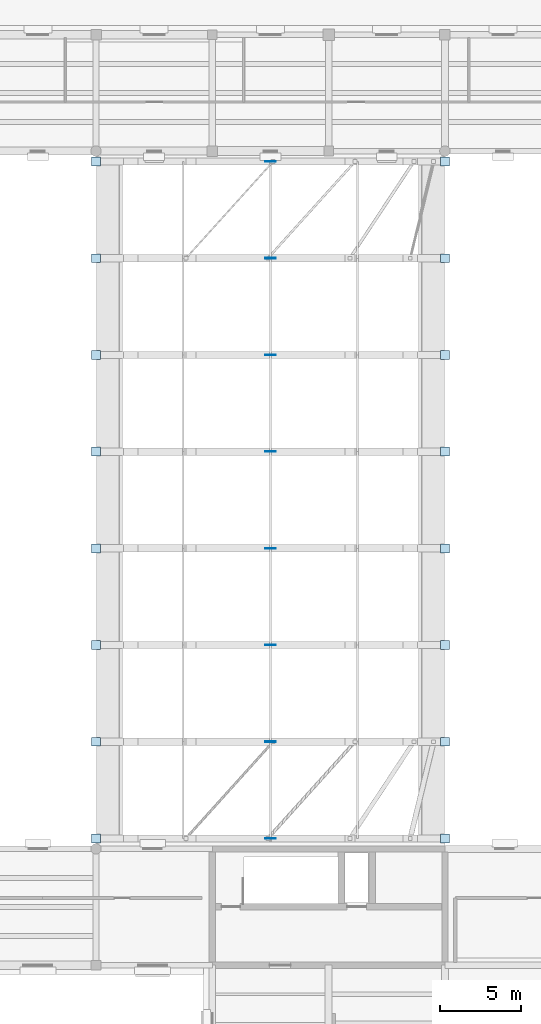
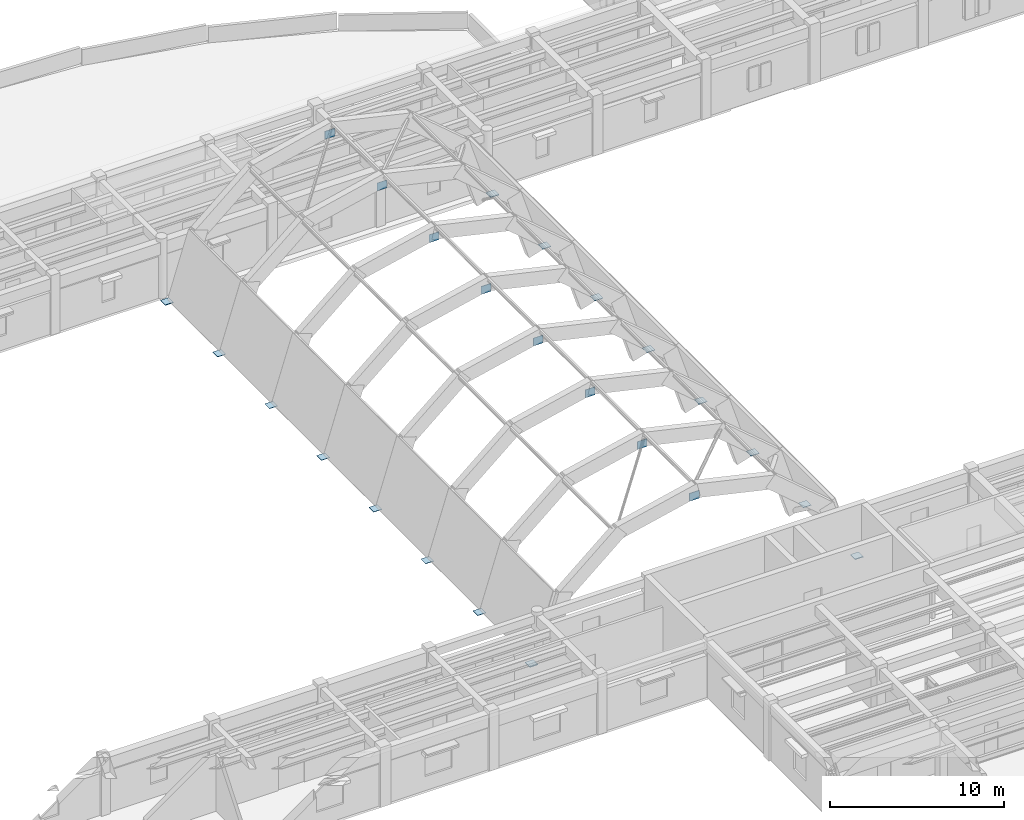
# One storey, part 35 of 66: 24 plates.
"""IFC4 building model written with IfcOpenShell, lengths in metres."""

from ifc_helpers import new_model, si_unit, direction, frame, origin, origin_2d, place, context, subcontext, project, spatial, rectangle, extrude, material, layer, layer_set, type_object, element, save


model = new_model("IFC4")

# Units and contexts
model_context = context("Model", 3, precision=1e-05, world=origin(), true_north=direction((0.0, 1.0)))
body_context = subcontext(model_context, "Body", "Model", "MODEL_VIEW")
ifc_project = project(units=[si_unit("LENGTHUNIT", "METRE"), si_unit("AREAUNIT", "SQUARE_METRE"), si_unit("VOLUMEUNIT", "CUBIC_METRE"), si_unit("PLANEANGLEUNIT", "RADIAN"), si_unit("MASSUNIT", "GRAM", prefix="KILO")], contexts=[model_context])

# Site, building, storey
site_placement = place(None, origin())
site = spatial("IfcSite", under=ifc_project, at=site_placement, CompositionType="ELEMENT")
building_placement = place(site_placement, origin())
building = spatial("IfcBuilding", under=site, at=building_placement, Name="Mithqara Police Headquarters", CompositionType="ELEMENT")
storey_placement = place(building_placement, frame((0.0, 0.0, 9.60009765625)))
storey = spatial("IfcBuildingStorey", under=building, at=storey_placement, Name="L02", CompositionType="ELEMENT", Elevation=9.60009765625)

# Plates
ifc_material = material(Name="Steel S355JR", Category="steel")
ifc_layer_1 = layer(ifc_material, 0.048095703125, Name="Steel S355JR")
ifc_layer_set_1 = layer_set([ifc_layer_1], Name="Steel S355JR")
plate_type_1 = type_object("IfcPlateType", Name="BASE PLATE 48", PredefinedType="SHEET", material=ifc_layer_set_1)
for number, where, z_axis, x_axis, name in (
    (1, (72.60009765625, 36.050048828125, -0.04833984375), (0.0, 0.0, 1.0), (1.0, 0.0, 0.0), "Public Entrance Hall Barrel Vault Springing Shoe Plate W1"),
    (2, (94.199951171875, 36.050048828125, -0.04833984375), (0.0, 0.0, 1.0), (1.0, 0.0, 0.0), "Public Entrance Hall Barrel Vault Springing Shoe Plate E1"),
    (3, (72.60009765625, 77.949951171875, -0.04833984375), (0.0, 0.0, 1.0), (1.0, 0.0, 0.0), "Public Entrance Hall Barrel Vault Springing Shoe Plate W8"),
    (4, (94.199951171875, 77.949951171875, -0.04833984375), (0.0, 0.0, 1.0), (1.0, 0.0, 0.0), "Public Entrance Hall Barrel Vault Springing Shoe Plate E8"),
):
    element("IfcPlate", number, at=place(storey_placement, frame(where, z_axis=z_axis, x_axis=x_axis)), inside=storey, type_object=plate_type_1, Name=name, PredefinedType="SHEET", context=body_context, shape_type="SweptSolid", body=[
        extrude(rectangle(XDim=0.550048828125, YDim=0.550048828125, at=origin_2d()), origin(), (0.0, 0.0, 1.0), 0.048095703125),
    ])
ifc_layer_2 = layer(ifc_material, 0.02392578125, Name="Steel S355JR")
ifc_layer_set_2 = layer_set([ifc_layer_2], Name="Steel S355JR")
plate_type_2 = type_object("IfcPlateType", Name="GUSSET PLATE 24", PredefinedType="SHEET", material=ifc_layer_set_2)
for number, where, z_axis, x_axis, name in (
    (5, (72.60009765625, 42.03564453125, -0.0361328125), (0.0, 0.0, 1.0), (1.0, 0.0, 0.0), "Public Entrance Hall Barrel Vault Springing Shoe Plate W2"),
    (6, (94.199951171875, 42.03564453125, -0.0361328125), (0.0, 0.0, 1.0), (1.0, 0.0, 0.0), "Public Entrance Hall Barrel Vault Springing Shoe Plate E2"),
    (7, (72.60009765625, 48.021484375, -0.0361328125), (0.0, 0.0, 1.0), (1.0, 0.0, 0.0), "Public Entrance Hall Barrel Vault Springing Shoe Plate W3"),
    (8, (94.199951171875, 48.021484375, -0.0361328125), (0.0, 0.0, 1.0), (1.0, 0.0, 0.0), "Public Entrance Hall Barrel Vault Springing Shoe Plate E3"),
    (9, (72.60009765625, 54.007080078125, -0.0361328125), (0.0, 0.0, 1.0), (1.0, 0.0, 0.0), "Public Entrance Hall Barrel Vault Springing Shoe Plate W4"),
    (10, (94.199951171875, 54.007080078125, -0.0361328125), (0.0, 0.0, 1.0), (1.0, 0.0, 0.0), "Public Entrance Hall Barrel Vault Springing Shoe Plate E4"),
    (11, (72.60009765625, 59.992919921875, -0.0361328125), (0.0, 0.0, 1.0), (1.0, 0.0, 0.0), "Public Entrance Hall Barrel Vault Springing Shoe Plate W5"),
    (12, (94.199951171875, 59.992919921875, -0.0361328125), (0.0, 0.0, 1.0), (1.0, 0.0, 0.0), "Public Entrance Hall Barrel Vault Springing Shoe Plate E5"),
    (13, (72.60009765625, 65.978515625, -0.0361328125), (0.0, 0.0, 1.0), (1.0, 0.0, 0.0), "Public Entrance Hall Barrel Vault Springing Shoe Plate W6"),
    (14, (94.199951171875, 65.978515625, -0.0361328125), (0.0, 0.0, 1.0), (1.0, 0.0, 0.0), "Public Entrance Hall Barrel Vault Springing Shoe Plate E6"),
    (15, (72.60009765625, 71.96435546875, -0.0361328125), (0.0, 0.0, 1.0), (1.0, 0.0, 0.0), "Public Entrance Hall Barrel Vault Springing Shoe Plate W7"),
    (16, (94.199951171875, 71.96435546875, -0.0361328125), (0.0, 0.0, 1.0), (1.0, 0.0, 0.0), "Public Entrance Hall Barrel Vault Springing Shoe Plate E7"),
):
    element("IfcPlate", number, at=place(storey_placement, frame(where, z_axis=z_axis, x_axis=x_axis)), inside=storey, type_object=plate_type_2, Name=name, PredefinedType="SHEET", context=body_context, shape_type="SweptSolid", body=[
        extrude(rectangle(XDim=0.550048828125, YDim=0.550048828125, at=origin_2d()), origin(), (0.0, 0.0, 1.0), 0.02392578125),
    ])
ifc_layer_3 = layer(ifc_material, 0.035888671875, Name="Steel S355JR")
ifc_layer_set_3 = layer_set([ifc_layer_3], Name="Steel S355JR")
plate_type_3 = type_object("IfcPlateType", Name="GUSSET PLATE 36", PredefinedType="SHEET", material=ifc_layer_set_3)
for number, where, z_axis, x_axis, name in (
    (17, (83.39990234375, 36.050048828125, 7.705078125), (0.0, 0.0, 1.0), (1.0, 0.0, 0.0), "Public Entrance Hall Barrel Vault Crown Arch Node Plate 1"),
    (18, (83.39990234375, 42.03564453125, 7.705078125), (0.0, 0.0, 1.0), (1.0, 0.0, 0.0), "Public Entrance Hall Barrel Vault Crown Arch Node Plate 2"),
    (19, (83.39990234375, 48.021484375, 7.705078125), (0.0, 0.0, 1.0), (1.0, 0.0, 0.0), "Public Entrance Hall Barrel Vault Crown Arch Node Plate 3"),
    (20, (83.39990234375, 54.007080078125, 7.705078125), (0.0, 0.0, 1.0), (1.0, 0.0, 0.0), "Public Entrance Hall Barrel Vault Crown Arch Node Plate 4"),
    (21, (83.39990234375, 59.992919921875, 7.705078125), (0.0, 0.0, 1.0), (1.0, 0.0, 0.0), "Public Entrance Hall Barrel Vault Crown Arch Node Plate 5"),
    (22, (83.39990234375, 65.978515625, 7.705078125), (0.0, 0.0, 1.0), (1.0, 0.0, 0.0), "Public Entrance Hall Barrel Vault Crown Arch Node Plate 6"),
    (23, (83.39990234375, 71.96435546875, 7.705078125), (0.0, 0.0, 1.0), (1.0, 0.0, 0.0), "Public Entrance Hall Barrel Vault Crown Arch Node Plate 7"),
    (24, (83.39990234375, 77.949951171875, 7.705078125), (0.0, 0.0, 1.0), (1.0, 0.0, 0.0), "Public Entrance Hall Barrel Vault Crown Arch Node Plate 8"),
):
    element("IfcPlate", number, at=place(storey_placement, frame(where, z_axis=z_axis, x_axis=x_axis)), inside=storey, type_object=plate_type_3, Name=name, PredefinedType="SHEET", context=body_context, shape_type="SweptSolid", body=[
        extrude(rectangle(XDim=0.64990234375, YDim=0.035888671875, at=origin_2d()), origin(), (0.0, 0.0, 1.0), 0.550048828125),
    ])

save(model, "model.ifc")
